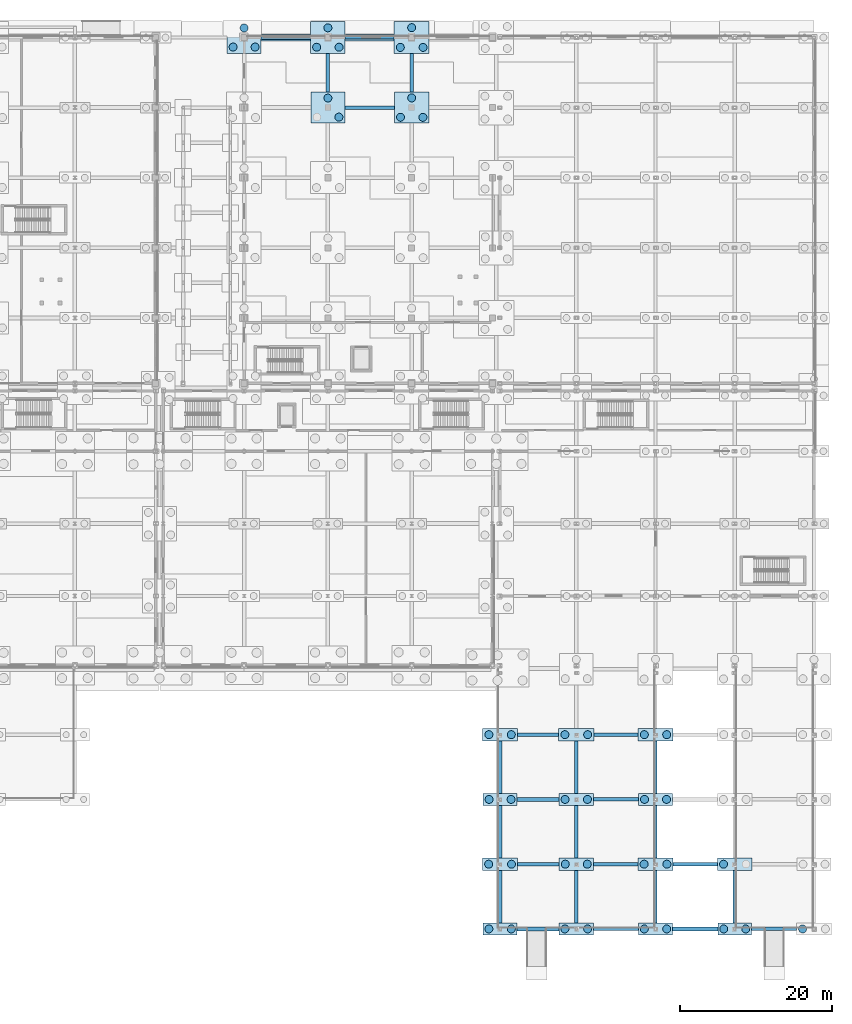
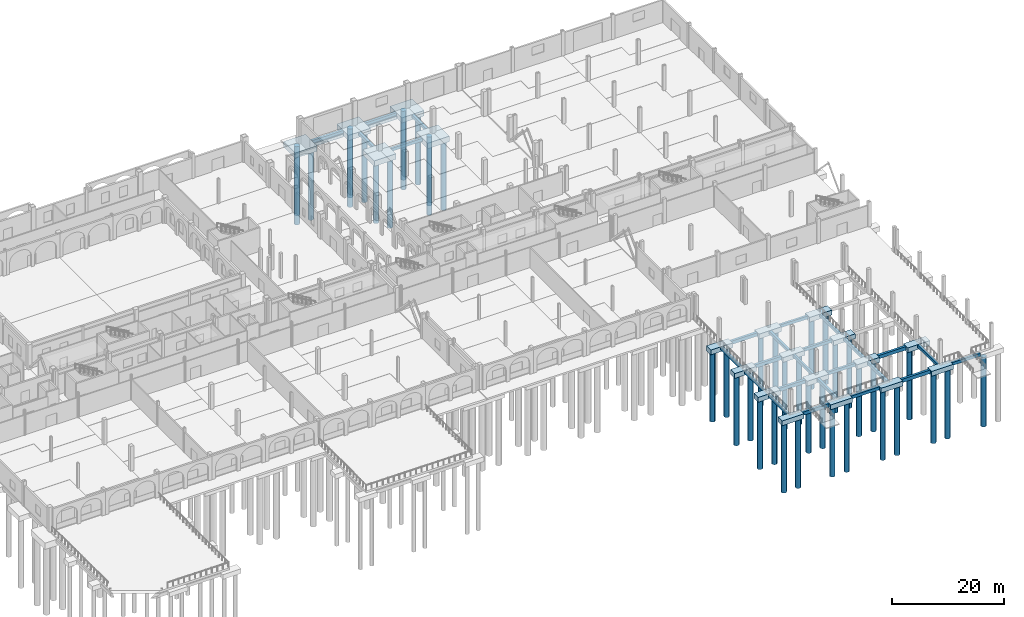
# One storey, part 10 of 83: 47 footings, 42 piles.
"""IFC4 building model written with IfcOpenShell, lengths in metres."""

from ifc_helpers import new_model, si_unit, direction, frame, origin, origin_2d, place, context, subcontext, project, spatial, polyline, circle, outline, extrude, material, material_profile, profile_set, type_object, element, save


model = new_model("IFC4")

# Units and contexts
model_context = context("Model", 3, precision=1e-05, world=origin(), true_north=direction((0.0, 1.0)))
body_context = subcontext(model_context, "Body", "Model", "MODEL_VIEW")
ifc_project = project(units=[si_unit("LENGTHUNIT", "METRE"), si_unit("AREAUNIT", "SQUARE_METRE"), si_unit("VOLUMEUNIT", "CUBIC_METRE"), si_unit("PLANEANGLEUNIT", "RADIAN"), si_unit("MASSUNIT", "GRAM", prefix="KILO")], contexts=[model_context])

# Site, building, storey
site_placement = place(None, origin())
site = spatial("IfcSite", under=ifc_project, at=site_placement, CompositionType="ELEMENT")
building_placement = place(site_placement, origin())
building = spatial("IfcBuilding", under=site, at=building_placement, Name="Caurita Quay Ferry Terminal", CompositionType="ELEMENT")
storey_placement = place(building_placement, origin())
storey = spatial("IfcBuildingStorey", under=building, at=storey_placement, Name="L00", CompositionType="ELEMENT", Elevation=0.0)

# Footings
ifc_material = material(Name="Marine reinforced concrete C40/50", Category="concrete")
footing_type_1 = type_object("IfcFootingType", Name="FTG-BM-01", PredefinedType="FOOTING_BEAM", material=ifc_material)
footing_1_placement = place(storey_placement, frame((0.0, 0.0, -1.14990234375)))
element("IfcFooting", 1, at=footing_1_placement, inside=storey, type_object=footing_type_1, Name="Seismic Tie Footing Beam FB-X-001", PredefinedType="FOOTING_BEAM", context=body_context, shape_type="SweptSolid", body=[
    extrude(outline(polyline([(135.050048828125, -0.25), (140.52490234375, -0.25), (140.52490234375, 0.25), (135.050048828125, 0.25), (135.050048828125, -0.25)])), origin(), (0.0, 0.0, 1.0), 0.75),
])
footing_2_placement = place(storey_placement, frame((0.0, 0.0, -1.14990234375)))
element("IfcFooting", 2, at=footing_2_placement, inside=storey, type_object=footing_type_1, Name="Seismic Tie Footing Beam FB-X-003", PredefinedType="FOOTING_BEAM", context=body_context, shape_type="SweptSolid", body=[
    extrude(outline(polyline([(155.449951171875, -0.25), (161.375, -0.25), (161.375, 0.25), (155.449951171875, 0.25), (155.449951171875, -0.25)])), origin(), (0.0, 0.0, 1.0), 0.75),
])
footing_3_placement = place(storey_placement, frame((0.0, 0.0, -1.14990234375)))
element("IfcFooting", 3, at=footing_3_placement, inside=storey, type_object=footing_type_1, Name="Seismic Tie Footing Beam FB-X-007", PredefinedType="FOOTING_BEAM", context=body_context, shape_type="SweptSolid", body=[
    extrude(outline(polyline([(135.10009765625, 8.25), (140.550048828125, 8.25), (140.550048828125, 8.75), (135.10009765625, 8.75), (135.10009765625, 8.25)])), origin(), (0.0, 0.0, 1.0), 0.75),
])
footing_4_placement = place(storey_placement, frame((0.0, 0.0, -1.14990234375)))
element("IfcFooting", 4, at=footing_4_placement, inside=storey, type_object=footing_type_1, Name="Seismic Tie Footing Beam FB-X-009", PredefinedType="FOOTING_BEAM", context=body_context, shape_type="SweptSolid", body=[
    extrude(outline(polyline([(155.5, 8.25), (161.324951171875, 8.25), (161.324951171875, 8.75), (155.5, 8.75), (155.5, 8.25)])), origin(), (0.0, 0.0, 1.0), 0.75),
])
footing_5_placement = place(storey_placement, frame((0.0, 0.0, -1.14990234375)))
element("IfcFooting", 5, at=footing_5_placement, inside=storey, type_object=footing_type_1, Name="Seismic Tie Footing Beam FB-X-015", PredefinedType="FOOTING_BEAM", context=body_context, shape_type="SweptSolid", body=[
    extrude(outline(polyline([(135.02490234375, 16.75), (140.550048828125, 16.75), (140.550048828125, 17.25), (135.02490234375, 17.25), (135.02490234375, 16.75)])), origin(), (0.0, 0.0, 1.0), 0.75),
])
footing_6_placement = place(storey_placement, frame((0.0, 0.0, -1.14990234375)))
element("IfcFooting", 6, at=footing_6_placement, inside=storey, type_object=footing_type_1, Name="Seismic Tie Footing Beam FB-X-023", PredefinedType="FOOTING_BEAM", context=body_context, shape_type="SweptSolid", body=[
    extrude(outline(polyline([(135.074951171875, 25.25), (140.5, 25.25), (140.5, 25.75), (135.074951171875, 25.75), (135.074951171875, 25.25)])), origin(), (0.0, 0.0, 1.0), 0.75),
])
footing_7_placement = place(storey_placement, frame((0.0, 0.0, -1.14990234375)))
element("IfcFooting", 7, at=footing_7_placement, inside=storey, type_object=footing_type_1, Name="Seismic Tie Footing Beam FB-X-177", PredefinedType="FOOTING_BEAM", context=body_context, shape_type="SweptSolid", body=[
    extrude(outline(polyline([(101.449951171875, 116.75), (107.925048828125, 116.75), (107.925048828125, 117.25), (101.449951171875, 117.25), (101.449951171875, 116.75)])), origin(), (0.0, 0.0, 1.0), 0.75),
])
footing_type_2 = type_object("IfcFootingType", Name="FTG-BM-02", PredefinedType="FOOTING_BEAM", material=ifc_material)
footing_8_placement = place(storey_placement, frame((0.0, 0.0, -1.050048828125)))
element("IfcFooting", 8, at=footing_8_placement, inside=storey, type_object=footing_type_2, Name="Seismic Tie Footing Beam FB-X-002", PredefinedType="FOOTING_BEAM", context=body_context, shape_type="SweptSolid", body=[
    extrude(outline(polyline([(145.074951171875, -0.22509765625), (150.949951171875, -0.22509765625), (150.949951171875, 0.22509765625), (145.074951171875, 0.22509765625), (145.074951171875, -0.22509765625)])), origin(), (0.0, 0.0, 1.0), 0.650146484375),
])
footing_9_placement = place(storey_placement, frame((0.0, 0.0, -1.050048828125)))
element("IfcFooting", 9, at=footing_9_placement, inside=storey, type_object=footing_type_2, Name="Seismic Tie Footing Beam FB-X-004", PredefinedType="FOOTING_BEAM", context=body_context, shape_type="SweptSolid", body=[
    extrude(outline(polyline([(165.824951171875, -0.22509765625), (171.72509765625, -0.22509765625), (171.72509765625, 0.22509765625), (165.824951171875, 0.22509765625), (165.824951171875, -0.22509765625)])), origin(), (0.0, 0.0, 1.0), 0.650146484375),
])
footing_10_placement = place(storey_placement, frame((0.0, 0.0, -1.050048828125)))
element("IfcFooting", 10, at=footing_10_placement, inside=storey, type_object=footing_type_2, Name="Seismic Tie Footing Beam FB-X-008", PredefinedType="FOOTING_BEAM", context=body_context, shape_type="SweptSolid", body=[
    extrude(outline(polyline([(145.050048828125, 8.27490234375), (150.89990234375, 8.27490234375), (150.89990234375, 8.72509765625), (145.050048828125, 8.72509765625), (145.050048828125, 8.27490234375)])), origin(), (0.0, 0.0, 1.0), 0.650146484375),
])
footing_11_placement = place(storey_placement, frame((0.0, 0.0, -1.050048828125)))
element("IfcFooting", 11, at=footing_11_placement, inside=storey, type_object=footing_type_2, Name="Seismic Tie Footing Beam FB-X-016", PredefinedType="FOOTING_BEAM", context=body_context, shape_type="SweptSolid", body=[
    extrude(outline(polyline([(145.050048828125, 16.77490234375), (150.97509765625, 16.77490234375), (150.97509765625, 17.22509765625), (145.050048828125, 17.22509765625), (145.050048828125, 16.77490234375)])), origin(), (0.0, 0.0, 1.0), 0.650146484375),
])
footing_12_placement = place(storey_placement, frame((0.0, 0.0, -1.050048828125)))
element("IfcFooting", 12, at=footing_12_placement, inside=storey, type_object=footing_type_2, Name="Seismic Tie Footing Beam FB-X-024", PredefinedType="FOOTING_BEAM", context=body_context, shape_type="SweptSolid", body=[
    extrude(outline(polyline([(145.10009765625, 25.27490234375), (150.925048828125, 25.27490234375), (150.925048828125, 25.72509765625), (145.10009765625, 25.72509765625), (145.10009765625, 25.27490234375)])), origin(), (0.0, 0.0, 1.0), 0.650146484375),
])
footing_13_placement = place(storey_placement, frame((0.0, 0.0, -1.050048828125)))
element("IfcFooting", 13, at=footing_13_placement, inside=storey, type_object=footing_type_2, Name="Seismic Tie Footing Beam FB-X-162", PredefinedType="FOOTING_BEAM", context=body_context, shape_type="SweptSolid", body=[
    extrude(outline(polyline([(112.425048828125, 107.574951171875), (118.949951171875, 107.574951171875), (118.949951171875, 108.02490234375), (112.425048828125, 108.02490234375), (112.425048828125, 107.574951171875)])), origin(), (0.0, 0.0, 1.0), 0.650146484375),
])
footing_14_placement = place(storey_placement, frame((0.0, 0.0, -1.050048828125)))
element("IfcFooting", 14, at=footing_14_placement, inside=storey, type_object=footing_type_2, Name="Seismic Tie Footing Beam FB-X-178", PredefinedType="FOOTING_BEAM", context=body_context, shape_type="SweptSolid", body=[
    extrude(outline(polyline([(112.47509765625, 116.77490234375), (118.89990234375, 116.77490234375), (118.89990234375, 117.22509765625), (112.47509765625, 117.22509765625), (112.47509765625, 116.77490234375)])), origin(), (0.0, 0.0, 1.0), 0.650146484375),
])
footing_15_placement = place(storey_placement, frame((0.0, 0.0, -1.050048828125)))
element("IfcFooting", 15, at=footing_15_placement, inside=storey, type_object=footing_type_2, Name="Seismic Tie Footing Beam FB-Y-295", PredefinedType="FOOTING_BEAM", context=body_context, shape_type="SweptSolid", body=[
    extrude(outline(polyline([(109.97509765625, 109.85009765625), (110.425048828125, 109.85009765625), (110.425048828125, 114.925048828125), (109.97509765625, 114.925048828125), (109.97509765625, 109.85009765625)])), origin(), (0.0, 0.0, 1.0), 0.650146484375),
])
footing_16_placement = place(storey_placement, frame((0.0, 0.0, -1.050048828125)))
element("IfcFooting", 16, at=footing_16_placement, inside=storey, type_object=footing_type_2, Name="Seismic Tie Footing Beam FB-Y-304", PredefinedType="FOOTING_BEAM", context=body_context, shape_type="SweptSolid", body=[
    extrude(outline(polyline([(120.97509765625, 109.85009765625), (121.425048828125, 109.85009765625), (121.425048828125, 114.89990234375), (120.97509765625, 114.89990234375), (120.97509765625, 109.85009765625)])), origin(), (0.0, 0.0, 1.0), 0.650146484375),
])
footing_17_placement = place(storey_placement, frame((0.0, 0.0, -1.050048828125)))
element("IfcFooting", 17, at=footing_17_placement, inside=storey, type_object=footing_type_2, Name="Seismic Tie Footing Beam FB-Y-314", PredefinedType="FOOTING_BEAM", context=body_context, shape_type="SweptSolid", body=[
    extrude(outline(polyline([(132.574951171875, 0.77490234375), (133.02490234375, 0.77490234375), (133.02490234375, 7.699951171875), (132.574951171875, 7.699951171875), (132.574951171875, 0.77490234375)])), origin(), (0.0, 0.0, 1.0), 0.650146484375),
])
footing_18_placement = place(storey_placement, frame((0.0, 0.0, -1.050048828125)))
element("IfcFooting", 18, at=footing_18_placement, inside=storey, type_object=footing_type_2, Name="Seismic Tie Footing Beam FB-Y-315", PredefinedType="FOOTING_BEAM", context=body_context, shape_type="SweptSolid", body=[
    extrude(outline(polyline([(132.574951171875, 9.300048828125), (133.02490234375, 9.300048828125), (133.02490234375, 16.22509765625), (132.574951171875, 16.22509765625), (132.574951171875, 9.300048828125)])), origin(), (0.0, 0.0, 1.0), 0.650146484375),
])
footing_19_placement = place(storey_placement, frame((0.0, 0.0, -1.050048828125)))
element("IfcFooting", 19, at=footing_19_placement, inside=storey, type_object=footing_type_2, Name="Seismic Tie Footing Beam FB-Y-316", PredefinedType="FOOTING_BEAM", context=body_context, shape_type="SweptSolid", body=[
    extrude(outline(polyline([(132.574951171875, 17.77490234375), (133.02490234375, 17.77490234375), (133.02490234375, 24.699951171875), (132.574951171875, 24.699951171875), (132.574951171875, 17.77490234375)])), origin(), (0.0, 0.0, 1.0), 0.650146484375),
])
footing_20_placement = place(storey_placement, frame((0.0, 0.0, -1.050048828125)))
element("IfcFooting", 20, at=footing_20_placement, inside=storey, type_object=footing_type_2, Name="Seismic Tie Footing Beam FB-Y-317", PredefinedType="FOOTING_BEAM", context=body_context, shape_type="SweptSolid", body=[
    extrude(outline(polyline([(142.574951171875, 0.77490234375), (143.02490234375, 0.77490234375), (143.02490234375, 7.699951171875), (142.574951171875, 7.699951171875), (142.574951171875, 0.77490234375)])), origin(), (0.0, 0.0, 1.0), 0.650146484375),
])
footing_21_placement = place(storey_placement, frame((0.0, 0.0, -1.050048828125)))
element("IfcFooting", 21, at=footing_21_placement, inside=storey, type_object=footing_type_2, Name="Seismic Tie Footing Beam FB-Y-318", PredefinedType="FOOTING_BEAM", context=body_context, shape_type="SweptSolid", body=[
    extrude(outline(polyline([(142.574951171875, 9.300048828125), (143.02490234375, 9.300048828125), (143.02490234375, 16.22509765625), (142.574951171875, 16.22509765625), (142.574951171875, 9.300048828125)])), origin(), (0.0, 0.0, 1.0), 0.650146484375),
])
footing_22_placement = place(storey_placement, frame((0.0, 0.0, -1.050048828125)))
element("IfcFooting", 22, at=footing_22_placement, inside=storey, type_object=footing_type_2, Name="Seismic Tie Footing Beam FB-Y-319", PredefinedType="FOOTING_BEAM", context=body_context, shape_type="SweptSolid", body=[
    extrude(outline(polyline([(142.574951171875, 17.77490234375), (143.02490234375, 17.77490234375), (143.02490234375, 24.699951171875), (142.574951171875, 24.699951171875), (142.574951171875, 17.77490234375)])), origin(), (0.0, 0.0, 1.0), 0.650146484375),
])
footing_23_placement = place(storey_placement, frame((0.0, 0.0, -1.050048828125)))
element("IfcFooting", 23, at=footing_23_placement, inside=storey, type_object=footing_type_2, Name="Seismic Tie Footing Beam FB-Y-330", PredefinedType="FOOTING_BEAM", context=body_context, shape_type="SweptSolid", body=[
    extrude(outline(polyline([(152.97509765625, 0.77490234375), (153.425048828125, 0.77490234375), (153.425048828125, 7.699951171875), (152.97509765625, 7.699951171875), (152.97509765625, 0.77490234375)])), origin(), (0.0, 0.0, 1.0), 0.650146484375),
])
footing_24_placement = place(storey_placement, frame((0.0, 0.0, -1.050048828125)))
element("IfcFooting", 24, at=footing_24_placement, inside=storey, type_object=footing_type_2, Name="Seismic Tie Footing Beam FB-Y-331", PredefinedType="FOOTING_BEAM", context=body_context, shape_type="SweptSolid", body=[
    extrude(outline(polyline([(152.97509765625, 9.300048828125), (153.425048828125, 9.300048828125), (153.425048828125, 16.22509765625), (152.97509765625, 16.22509765625), (152.97509765625, 9.300048828125)])), origin(), (0.0, 0.0, 1.0), 0.650146484375),
])
footing_25_placement = place(storey_placement, frame((0.0, 0.0, -1.050048828125)))
element("IfcFooting", 25, at=footing_25_placement, inside=storey, type_object=footing_type_2, Name="Seismic Tie Footing Beam FB-Y-332", PredefinedType="FOOTING_BEAM", context=body_context, shape_type="SweptSolid", body=[
    extrude(outline(polyline([(152.97509765625, 17.77490234375), (153.425048828125, 17.77490234375), (153.425048828125, 24.699951171875), (152.97509765625, 24.699951171875), (152.97509765625, 17.77490234375)])), origin(), (0.0, 0.0, 1.0), 0.650146484375),
])
footing_26_placement = place(storey_placement, frame((0.0, 0.0, -1.050048828125)))
element("IfcFooting", 26, at=footing_26_placement, inside=storey, type_object=footing_type_2, Name="Seismic Tie Footing Beam FB-Y-343", PredefinedType="FOOTING_BEAM", context=body_context, shape_type="SweptSolid", body=[
    extrude(outline(polyline([(163.375, 0.77490234375), (163.824951171875, 0.77490234375), (163.824951171875, 7.699951171875), (163.375, 7.699951171875), (163.375, 0.77490234375)])), origin(), (0.0, 0.0, 1.0), 0.650146484375),
])
footing_type_3 = type_object("IfcFootingType", Name="FTG-PC-02", PredefinedType="PILE_CAP", material=ifc_material)
footing_27_placement = place(storey_placement, frame((0.0, 0.0, -1.550048828125)))
element("IfcFooting", 27, at=footing_27_placement, inside=storey, type_object=footing_type_3, Name="Pile Cap PC-104", PredefinedType="PILE_CAP", context=body_context, shape_type="SweptSolid", body=[
    extrude(outline(polyline([(107.925048828125, 114.925048828125), (112.47509765625, 114.925048828125), (112.47509765625, 119.074951171875), (107.925048828125, 119.074951171875), (107.925048828125, 114.925048828125)])), origin(), (0.0, 0.0, 1.0), 1.150146484375),
])
footing_type_4 = type_object("IfcFootingType", Name="FTG-PC-24", PredefinedType="PILE_CAP", material=ifc_material)
footing_28_placement = place(storey_placement, frame((0.0, 0.0, -1.60009765625)))
element("IfcFooting", 28, at=footing_28_placement, inside=storey, type_object=footing_type_4, Name="Pile Cap PC-103", PredefinedType="PILE_CAP", context=body_context, shape_type="SweptSolid", body=[
    extrude(outline(polyline([(107.97509765625, 105.75), (112.425048828125, 105.75), (112.425048828125, 109.85009765625), (107.97509765625, 109.85009765625), (107.97509765625, 105.75)])), origin(), (0.0, 0.0, 1.0), 1.2001953125),
])
footing_type_5 = type_object("IfcFootingType", Name="FTG-PC-25", PredefinedType="PILE_CAP", material=ifc_material)
footing_29_placement = place(storey_placement, frame((0.0, 0.0, -1.550048828125)))
element("IfcFooting", 29, at=footing_29_placement, inside=storey, type_object=footing_type_5, Name="Pile Cap PC-094", PredefinedType="PILE_CAP", context=body_context, shape_type="SweptSolid", body=[
    extrude(outline(polyline([(96.949951171875, 114.925048828125), (101.449951171875, 114.925048828125), (101.449951171875, 119.074951171875), (96.949951171875, 119.074951171875), (96.949951171875, 114.925048828125)])), origin(), (0.0, 0.0, 1.0), 1.150146484375),
])
footing_type_6 = type_object("IfcFootingType", Name="FTG-PC-26", PredefinedType="PILE_CAP", material=ifc_material)
footing_30_placement = place(storey_placement, frame((0.0, 0.0, -1.60009765625)))
element("IfcFooting", 30, at=footing_30_placement, inside=storey, type_object=footing_type_6, Name="Pile Cap PC-113", PredefinedType="PILE_CAP", context=body_context, shape_type="SweptSolid", body=[
    extrude(outline(polyline([(118.949951171875, 105.75), (123.449951171875, 105.75), (123.449951171875, 109.85009765625), (118.949951171875, 109.85009765625), (118.949951171875, 105.75)])), origin(), (0.0, 0.0, 1.0), 1.2001953125),
])
footing_type_7 = type_object("IfcFootingType", Name="FTG-PC-27", PredefinedType="PILE_CAP", material=ifc_material)
footing_31_placement = place(storey_placement, frame((0.0, 0.0, -1.550048828125)))
element("IfcFooting", 31, at=footing_31_placement, inside=storey, type_object=footing_type_7, Name="Pile Cap PC-114", PredefinedType="PILE_CAP", context=body_context, shape_type="SweptSolid", body=[
    extrude(outline(polyline([(118.89990234375, 114.89990234375), (123.5, 114.89990234375), (123.5, 119.10009765625), (118.89990234375, 119.10009765625), (118.89990234375, 114.89990234375)])), origin(), (0.0, 0.0, 1.0), 1.150146484375),
])
footing_type_8 = type_object("IfcFootingType", Name="FTG-PC-32", PredefinedType="PILE_CAP", material=ifc_material)
footing_32_placement = place(storey_placement, frame((0.0, 0.0, -1.449951171875)))
element("IfcFooting", 32, at=footing_32_placement, inside=storey, type_object=footing_type_8, Name="Pile Cap PC-125", PredefinedType="PILE_CAP", context=body_context, shape_type="SweptSolid", body=[
    extrude(outline(polyline([(130.550048828125, -0.77490234375), (135.050048828125, -0.77490234375), (135.050048828125, 0.77490234375), (130.550048828125, 0.77490234375), (130.550048828125, -0.77490234375)])), origin(), (0.0, 0.0, 1.0), 1.050048828125),
])
footing_33_placement = place(storey_placement, frame((0.0, 0.0, -1.449951171875)))
element("IfcFooting", 33, at=footing_33_placement, inside=storey, type_object=footing_type_8, Name="Pile Cap PC-131", PredefinedType="PILE_CAP", context=body_context, shape_type="SweptSolid", body=[
    extrude(outline(polyline([(140.550048828125, 16.22509765625), (145.050048828125, 16.22509765625), (145.050048828125, 17.77490234375), (140.550048828125, 17.77490234375), (140.550048828125, 16.22509765625)])), origin(), (0.0, 0.0, 1.0), 1.050048828125),
])
footing_34_placement = place(storey_placement, frame((0.0, 0.0, -1.449951171875)))
element("IfcFooting", 34, at=footing_34_placement, inside=storey, type_object=footing_type_8, Name="Pile Cap PC-143", PredefinedType="PILE_CAP", context=body_context, shape_type="SweptSolid", body=[
    extrude(outline(polyline([(150.949951171875, -0.77490234375), (155.449951171875, -0.77490234375), (155.449951171875, 0.77490234375), (150.949951171875, 0.77490234375), (150.949951171875, -0.77490234375)])), origin(), (0.0, 0.0, 1.0), 1.050048828125),
])
footing_type_9 = type_object("IfcFootingType", Name="FTG-PC-33", PredefinedType="PILE_CAP", material=ifc_material)
footing_35_placement = place(storey_placement, frame((0.0, 0.0, -1.449951171875)))
element("IfcFooting", 35, at=footing_35_placement, inside=storey, type_object=footing_type_9, Name="Pile Cap PC-126", PredefinedType="PILE_CAP", context=body_context, shape_type="SweptSolid", body=[
    extrude(outline(polyline([(130.5, 7.699951171875), (135.10009765625, 7.699951171875), (135.10009765625, 9.300048828125), (130.5, 9.300048828125), (130.5, 7.699951171875)])), origin(), (0.0, 0.0, 1.0), 1.050048828125),
])
footing_36_placement = place(storey_placement, frame((0.0, 0.0, -1.449951171875)))
element("IfcFooting", 36, at=footing_36_placement, inside=storey, type_object=footing_type_9, Name="Pile Cap PC-132", PredefinedType="PILE_CAP", context=body_context, shape_type="SweptSolid", body=[
    extrude(outline(polyline([(140.5, 24.699951171875), (145.10009765625, 24.699951171875), (145.10009765625, 26.300048828125), (140.5, 26.300048828125), (140.5, 24.699951171875)])), origin(), (0.0, 0.0, 1.0), 1.050048828125),
])
footing_37_placement = place(storey_placement, frame((0.0, 0.0, -1.449951171875)))
element("IfcFooting", 37, at=footing_37_placement, inside=storey, type_object=footing_type_9, Name="Pile Cap PC-144", PredefinedType="PILE_CAP", context=body_context, shape_type="SweptSolid", body=[
    extrude(outline(polyline([(150.89990234375, 7.699951171875), (155.5, 7.699951171875), (155.5, 9.300048828125), (150.89990234375, 9.300048828125), (150.89990234375, 7.699951171875)])), origin(), (0.0, 0.0, 1.0), 1.050048828125),
])
footing_type_10 = type_object("IfcFootingType", Name="FTG-PC-34", PredefinedType="PILE_CAP", material=ifc_material)
footing_38_placement = place(storey_placement, frame((0.0, 0.0, -1.449951171875)))
element("IfcFooting", 38, at=footing_38_placement, inside=storey, type_object=footing_type_10, Name="Pile Cap PC-127", PredefinedType="PILE_CAP", context=body_context, shape_type="SweptSolid", body=[
    extrude(outline(polyline([(130.574951171875, 16.22509765625), (135.02490234375, 16.22509765625), (135.02490234375, 17.77490234375), (130.574951171875, 17.77490234375), (130.574951171875, 16.22509765625)])), origin(), (0.0, 0.0, 1.0), 1.050048828125),
])
footing_39_placement = place(storey_placement, frame((0.0, 0.0, -1.449951171875)))
element("IfcFooting", 39, at=footing_39_placement, inside=storey, type_object=footing_type_10, Name="Pile Cap PC-145", PredefinedType="PILE_CAP", context=body_context, shape_type="SweptSolid", body=[
    extrude(outline(polyline([(150.97509765625, 16.22509765625), (155.425048828125, 16.22509765625), (155.425048828125, 17.77490234375), (150.97509765625, 17.77490234375), (150.97509765625, 16.22509765625)])), origin(), (0.0, 0.0, 1.0), 1.050048828125),
])
footing_40_placement = place(storey_placement, frame((0.0, 0.0, -1.449951171875)))
element("IfcFooting", 40, at=footing_40_placement, inside=storey, type_object=footing_type_10, Name="Pile Cap PC-157", PredefinedType="PILE_CAP", context=body_context, shape_type="SweptSolid", body=[
    extrude(outline(polyline([(161.375, -0.77490234375), (165.824951171875, -0.77490234375), (165.824951171875, 0.77490234375), (161.375, 0.77490234375), (161.375, -0.77490234375)])), origin(), (0.0, 0.0, 1.0), 1.050048828125),
])
footing_type_11 = type_object("IfcFootingType", Name="FTG-PC-35", PredefinedType="PILE_CAP", material=ifc_material)
footing_41_placement = place(storey_placement, frame((0.0, 0.0, -1.449951171875)))
element("IfcFooting", 41, at=footing_41_placement, inside=storey, type_object=footing_type_11, Name="Pile Cap PC-128", PredefinedType="PILE_CAP", context=body_context, shape_type="SweptSolid", body=[
    extrude(outline(polyline([(130.52490234375, 24.699951171875), (135.074951171875, 24.699951171875), (135.074951171875, 26.300048828125), (130.52490234375, 26.300048828125), (130.52490234375, 24.699951171875)])), origin(), (0.0, 0.0, 1.0), 1.050048828125),
])
footing_42_placement = place(storey_placement, frame((0.0, 0.0, -1.449951171875)))
element("IfcFooting", 42, at=footing_42_placement, inside=storey, type_object=footing_type_11, Name="Pile Cap PC-146", PredefinedType="PILE_CAP", context=body_context, shape_type="SweptSolid", body=[
    extrude(outline(polyline([(150.925048828125, 24.699951171875), (155.47509765625, 24.699951171875), (155.47509765625, 26.300048828125), (150.925048828125, 26.300048828125), (150.925048828125, 24.699951171875)])), origin(), (0.0, 0.0, 1.0), 1.050048828125),
])
footing_43_placement = place(storey_placement, frame((0.0, 0.0, -1.449951171875)))
element("IfcFooting", 43, at=footing_43_placement, inside=storey, type_object=footing_type_11, Name="Pile Cap PC-158", PredefinedType="PILE_CAP", context=body_context, shape_type="SweptSolid", body=[
    extrude(outline(polyline([(161.324951171875, 7.699951171875), (165.875, 7.699951171875), (165.875, 9.300048828125), (161.324951171875, 9.300048828125), (161.324951171875, 7.699951171875)])), origin(), (0.0, 0.0, 1.0), 1.050048828125),
])
footing_type_12 = type_object("IfcFootingType", Name="FTG-PC-36", PredefinedType="PILE_CAP", material=ifc_material)
footing_44_placement = place(storey_placement, frame((0.0, 0.0, -1.449951171875)))
element("IfcFooting", 44, at=footing_44_placement, inside=storey, type_object=footing_type_12, Name="Pile Cap PC-129", PredefinedType="PILE_CAP", context=body_context, shape_type="SweptSolid", body=[
    extrude(outline(polyline([(140.52490234375, -0.77490234375), (145.074951171875, -0.77490234375), (145.074951171875, 0.77490234375), (140.52490234375, 0.77490234375), (140.52490234375, -0.77490234375)])), origin(), (0.0, 0.0, 1.0), 1.050048828125),
])
footing_type_13 = type_object("IfcFootingType", Name="FTG-PC-37", PredefinedType="PILE_CAP", material=ifc_material)
footing_45_placement = place(storey_placement, frame((0.0, 0.0, -1.449951171875)))
element("IfcFooting", 45, at=footing_45_placement, inside=storey, type_object=footing_type_13, Name="Pile Cap PC-130", PredefinedType="PILE_CAP", context=body_context, shape_type="SweptSolid", body=[
    extrude(outline(polyline([(140.550048828125, 7.699951171875), (145.050048828125, 7.699951171875), (145.050048828125, 9.300048828125), (140.550048828125, 9.300048828125), (140.550048828125, 7.699951171875)])), origin(), (0.0, 0.0, 1.0), 1.050048828125),
])
footing_type_14 = type_object("IfcFootingType", Name="FTG-STR-01", PredefinedType="STRIP_FOOTING", material=ifc_material)
footing_46_placement = place(storey_placement, frame((0.0, 0.0, -1.64990234375)))
element("IfcFooting", 46, at=footing_46_placement, inside=storey, type_object=footing_type_14, Name="Marine Seawall Strip Footing SF-19", PredefinedType="STRIP_FOOTING", context=body_context, shape_type="SweptSolid", body=[
    extrude(outline(polyline([(101.489990234375, 116.550048828125), (107.885009765625, 116.550048828125), (107.885009765625, 117.449951171875), (101.489990234375, 117.449951171875), (101.489990234375, 116.550048828125)])), origin(), (0.0, 0.0, 1.0), 0.64990234375),
])
footing_47_placement = place(storey_placement, frame((0.0, 0.0, -1.64990234375)))
element("IfcFooting", 47, at=footing_47_placement, inside=storey, type_object=footing_type_14, Name="Marine Seawall Strip Footing SF-20", PredefinedType="STRIP_FOOTING", context=body_context, shape_type="SweptSolid", body=[
    extrude(outline(polyline([(112.514892578125, 116.550048828125), (118.860107421875, 116.550048828125), (118.860107421875, 117.449951171875), (112.514892578125, 117.449951171875), (112.514892578125, 116.550048828125)])), origin(), (0.0, 0.0, 1.0), 0.64990234375),
])

# Piles
ifc_material_profile = material_profile(ifc_material, circle(Radius=0.52490234375, at=origin_2d()), Name="PILE-D1050")
ifc_profile_set = profile_set([ifc_material_profile], Name="Marine reinforced concrete C40/50")
pile_type = type_object("IfcPileType", Name="TYPE-PL-1050", PredefinedType="BORED", material=ifc_profile_set)
for number, where, z_axis, x_axis, name in (
    (48, (97.756103515625, 115.7490234375, -1.449951171875), (0.0, 0.0, -1.0), (1.0, 0.0, 0.0), "Bored Marine Pile PC-094-P1"),
    (49, (100.64404296875, 115.7490234375, -1.449951171875), (0.0, 0.0, -1.0), (1.0, 0.0, 0.0), "Bored Marine Pile PC-094-P2"),
    (50, (99.199951171875, 118.2509765625, -1.449951171875), (0.0, 0.0, -1.0), (1.0, 0.0, 0.0), "Bored Marine Pile PC-094-P3"),
):
    element("IfcPile", number, at=place(storey_placement, frame(where, z_axis=z_axis, x_axis=x_axis)), inside=storey, type_object=pile_type, Name=name, PredefinedType="BORED", context=body_context, shape_type="SweptSolid", body=[
        extrude(circle(Radius=0.52490234375, at=origin_2d()), origin(), (0.0, 0.0, 1.0), 15.050048828125),
    ])
for number, where, z_axis, x_axis, name in (
    (51, (111.64404296875, 106.549072265625, -1.5), (0.0, 0.0, -1.0), (1.0, 0.0, 0.0), "Bored Marine Pile PC-103-P2"),
    (52, (110.199951171875, 109.051025390625, -1.5), (0.0, 0.0, -1.0), (1.0, 0.0, 0.0), "Bored Marine Pile PC-103-P3"),
):
    element("IfcPile", number, at=place(storey_placement, frame(where, z_axis=z_axis, x_axis=x_axis)), inside=storey, type_object=pile_type, Name=name, PredefinedType="BORED", context=body_context, shape_type="SweptSolid", body=[
        extrude(circle(Radius=0.52490234375, at=origin_2d()), origin(), (0.0, 0.0, 1.0), 15.0),
    ])
for number, where, z_axis, x_axis, name in (
    (53, (108.72998046875, 115.72705078125, -1.449951171875), (0.0, 0.0, -1.0), (1.0, 0.0, 0.0), "Bored Marine Pile PC-104-P1"),
    (54, (111.669921875, 115.72705078125, -1.449951171875), (0.0, 0.0, -1.0), (1.0, 0.0, 0.0), "Bored Marine Pile PC-104-P2"),
    (55, (110.199951171875, 118.27294921875, -1.449951171875), (0.0, 0.0, -1.0), (1.0, 0.0, 0.0), "Bored Marine Pile PC-104-P3"),
):
    element("IfcPile", number, at=place(storey_placement, frame(where, z_axis=z_axis, x_axis=x_axis)), inside=storey, type_object=pile_type, Name=name, PredefinedType="BORED", context=body_context, shape_type="SweptSolid", body=[
        extrude(circle(Radius=0.52490234375, at=origin_2d()), origin(), (0.0, 0.0, 1.0), 15.050048828125),
    ])
for number, where, z_axis, x_axis, name in (
    (56, (119.72998046875, 106.527099609375, -1.5), (0.0, 0.0, -1.0), (1.0, 0.0, 0.0), "Bored Marine Pile PC-113-P1"),
    (57, (122.669921875, 106.527099609375, -1.5), (0.0, 0.0, -1.0), (1.0, 0.0, 0.0), "Bored Marine Pile PC-113-P2"),
    (58, (121.199951171875, 109.072998046875, -1.5), (0.0, 0.0, -1.0), (1.0, 0.0, 0.0), "Bored Marine Pile PC-113-P3"),
):
    element("IfcPile", number, at=place(storey_placement, frame(where, z_axis=z_axis, x_axis=x_axis)), inside=storey, type_object=pile_type, Name=name, PredefinedType="BORED", context=body_context, shape_type="SweptSolid", body=[
        extrude(circle(Radius=0.52490234375, at=origin_2d()), origin(), (0.0, 0.0, 1.0), 15.0),
    ])
for number, where, z_axis, x_axis, name in (
    (59, (119.7041015625, 115.7041015625, -1.449951171875), (0.0, 0.0, -1.0), (1.0, 0.0, 0.0), "Bored Marine Pile PC-114-P1"),
    (60, (122.697021484375, 115.7041015625, -1.449951171875), (0.0, 0.0, -1.0), (1.0, 0.0, 0.0), "Bored Marine Pile PC-114-P2"),
    (61, (121.199951171875, 118.2958984375, -1.449951171875), (0.0, 0.0, -1.0), (1.0, 0.0, 0.0), "Bored Marine Pile PC-114-P3"),
):
    element("IfcPile", number, at=place(storey_placement, frame(where, z_axis=z_axis, x_axis=x_axis)), inside=storey, type_object=pile_type, Name=name, PredefinedType="BORED", context=body_context, shape_type="SweptSolid", body=[
        extrude(circle(Radius=0.52490234375, at=origin_2d()), origin(), (0.0, 0.0, 1.0), 15.050048828125),
    ])
for number, where, z_axis, x_axis, name in (
    (62, (131.330078125, 0.0, -1.35009765625), (0.0, 0.0, -1.0), (1.0, 0.0, 0.0), "Bored Marine Pile PC-125-P1"),
    (63, (134.27001953125, 0.0, -1.35009765625), (0.0, 0.0, -1.0), (1.0, 0.0, 0.0), "Bored Marine Pile PC-125-P2"),
    (64, (131.303955078125, 8.5, -1.35009765625), (0.0, 0.0, -1.0), (1.0, 0.0, 0.0), "Bored Marine Pile PC-126-P1"),
    (65, (134.297119140625, 8.5, -1.35009765625), (0.0, 0.0, -1.0), (1.0, 0.0, 0.0), "Bored Marine Pile PC-126-P2"),
    (66, (131.35595703125, 17.0, -1.35009765625), (0.0, 0.0, -1.0), (1.0, 0.0, 0.0), "Bored Marine Pile PC-127-P1"),
    (67, (134.243896484375, 17.0, -1.35009765625), (0.0, 0.0, -1.0), (1.0, 0.0, 0.0), "Bored Marine Pile PC-127-P2"),
    (68, (131.330078125, 25.5, -1.35009765625), (0.0, 0.0, -1.0), (1.0, 0.0, 0.0), "Bored Marine Pile PC-128-P1"),
    (69, (134.27001953125, 25.5, -1.35009765625), (0.0, 0.0, -1.0), (1.0, 0.0, 0.0), "Bored Marine Pile PC-128-P2"),
    (70, (141.303955078125, 0.0, -1.35009765625), (0.0, 0.0, -1.0), (1.0, 0.0, 0.0), "Bored Marine Pile PC-129-P1"),
    (71, (144.297119140625, 0.0, -1.35009765625), (0.0, 0.0, -1.0), (1.0, 0.0, 0.0), "Bored Marine Pile PC-129-P2"),
    (72, (141.35595703125, 8.5, -1.35009765625), (0.0, 0.0, -1.0), (1.0, 0.0, 0.0), "Bored Marine Pile PC-130-P1"),
    (73, (144.243896484375, 8.5, -1.35009765625), (0.0, 0.0, -1.0), (1.0, 0.0, 0.0), "Bored Marine Pile PC-130-P2"),
    (74, (141.330078125, 17.0, -1.35009765625), (0.0, 0.0, -1.0), (1.0, 0.0, 0.0), "Bored Marine Pile PC-131-P1"),
    (75, (144.27001953125, 17.0, -1.35009765625), (0.0, 0.0, -1.0), (1.0, 0.0, 0.0), "Bored Marine Pile PC-131-P2"),
    (76, (141.303955078125, 25.5, -1.35009765625), (0.0, 0.0, -1.0), (1.0, 0.0, 0.0), "Bored Marine Pile PC-132-P1"),
    (77, (144.297119140625, 25.5, -1.35009765625), (0.0, 0.0, -1.0), (1.0, 0.0, 0.0), "Bored Marine Pile PC-132-P2"),
    (78, (151.72998046875, 0.0, -1.35009765625), (0.0, 0.0, -1.0), (1.0, 0.0, 0.0), "Bored Marine Pile PC-143-P1"),
    (79, (154.669921875, 0.0, -1.35009765625), (0.0, 0.0, -1.0), (1.0, 0.0, 0.0), "Bored Marine Pile PC-143-P2"),
    (80, (151.702880859375, 8.5, -1.35009765625), (0.0, 0.0, -1.0), (1.0, 0.0, 0.0), "Bored Marine Pile PC-144-P1"),
    (81, (154.696044921875, 8.5, -1.35009765625), (0.0, 0.0, -1.0), (1.0, 0.0, 0.0), "Bored Marine Pile PC-144-P2"),
    (82, (151.756103515625, 17.0, -1.35009765625), (0.0, 0.0, -1.0), (1.0, 0.0, 0.0), "Bored Marine Pile PC-145-P1"),
    (83, (154.64404296875, 17.0, -1.35009765625), (0.0, 0.0, -1.0), (1.0, 0.0, 0.0), "Bored Marine Pile PC-145-P2"),
    (84, (151.72998046875, 25.5, -1.35009765625), (0.0, 0.0, -1.0), (1.0, 0.0, 0.0), "Bored Marine Pile PC-146-P1"),
    (85, (154.669921875, 25.5, -1.35009765625), (0.0, 0.0, -1.0), (1.0, 0.0, 0.0), "Bored Marine Pile PC-146-P2"),
    (86, (162.156005859375, 0.0, -1.35009765625), (0.0, 0.0, -1.0), (1.0, 0.0, 0.0), "Bored Marine Pile PC-157-P1"),
    (87, (165.0439453125, 0.0, -1.35009765625), (0.0, 0.0, -1.0), (1.0, 0.0, 0.0), "Bored Marine Pile PC-157-P2"),
    (88, (162.1298828125, 8.5, -1.35009765625), (0.0, 0.0, -1.0), (1.0, 0.0, 0.0), "Bored Marine Pile PC-158-P1"),
    (89, (172.50390625, 0.0, -1.35009765625), (0.0, 0.0, -1.0), (1.0, 0.0, 0.0), "Bored Marine Pile PC-171-P1"),
):
    element("IfcPile", number, at=place(storey_placement, frame(where, z_axis=z_axis, x_axis=x_axis)), inside=storey, type_object=pile_type, Name=name, PredefinedType="BORED", context=body_context, shape_type="SweptSolid", body=[
        extrude(circle(Radius=0.52490234375, at=origin_2d()), origin(), (0.0, 0.0, 1.0), 15.14990234375),
    ])

save(model, "model.ifc")
